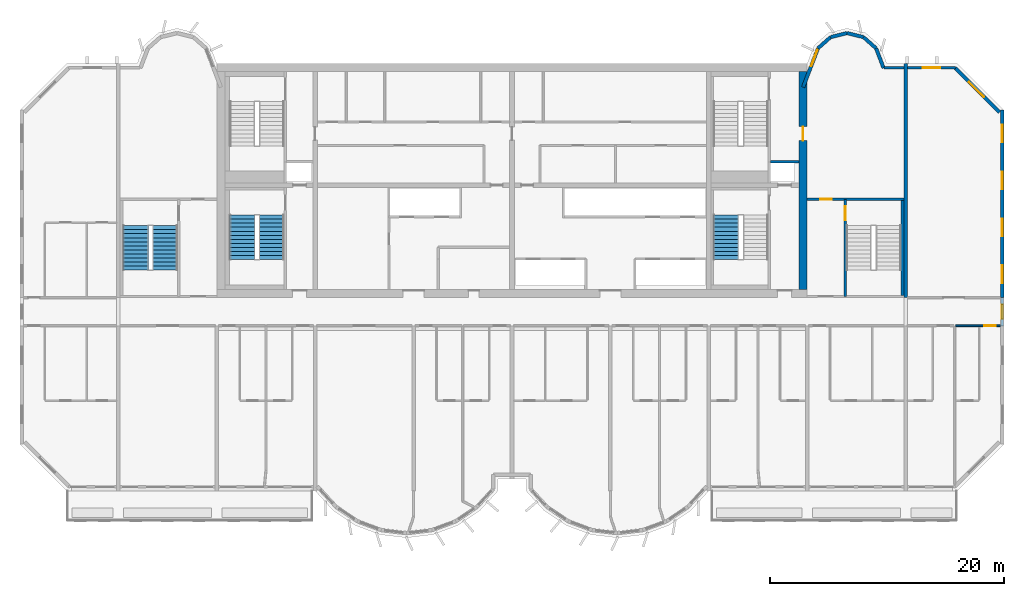
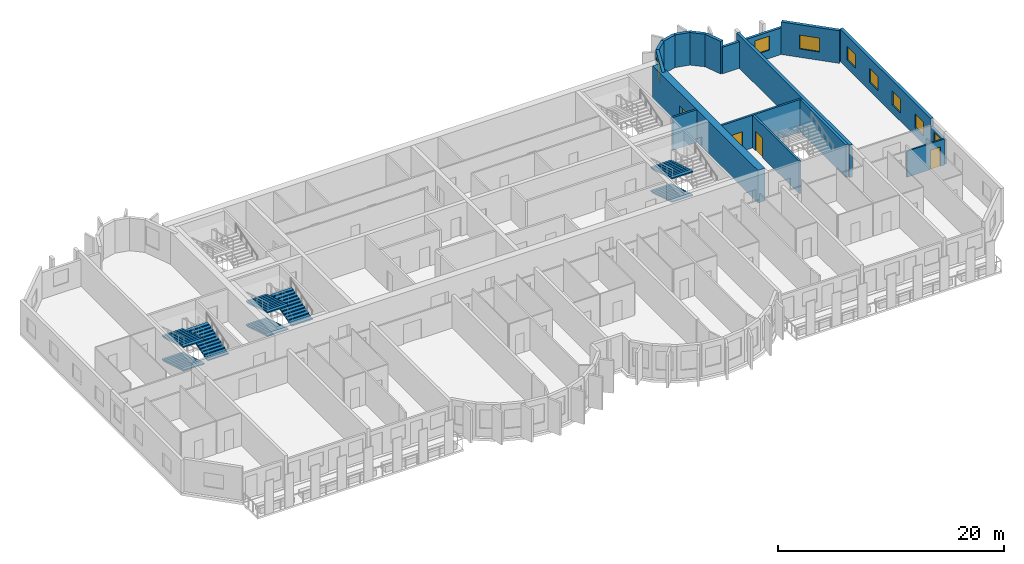
# One storey, part 9 of 13: 18 walls, 8 stair flights, 8 windows, 4 doors, 12 openings, 3 elements without a shape of their own.
"""IFC4 building model written with IfcOpenShell, lengths in metres."""

from ifc_helpers import new_model, si_unit, direction, frame, frame_2d, origin, place, context, subcontext, project, spatial, polyline, rectangle, outline, extrude, source, transform, mapped, material, layer, layer_set, type_object, element, fill, aggregate, save


model = new_model("IFC4")

# Units and contexts
model_context = context("Model", 3, precision=1e-05, world=origin(), true_north=direction((0.0, 1.0)))
body_context = subcontext(model_context, "Body", "Model", "MODEL_VIEW")
ifc_project = project(units=[si_unit("LENGTHUNIT", "METRE"), si_unit("AREAUNIT", "SQUARE_METRE"), si_unit("VOLUMEUNIT", "CUBIC_METRE"), si_unit("PLANEANGLEUNIT", "RADIAN"), si_unit("MASSUNIT", "GRAM", prefix="KILO")], contexts=[model_context])

# Site, building, storey
site_placement = place(None, origin())
site = spatial("IfcSite", under=ifc_project, at=site_placement, CompositionType="ELEMENT")
building_placement = place(site_placement, origin())
building = spatial("IfcBuilding", under=site, at=building_placement, Name="Vanashikhar Sky Hotel", CompositionType="ELEMENT")
storey_placement = place(building_placement, frame((0.0, 0.0, 159.199951171875)))
storey = spatial("IfcBuildingStorey", under=building, at=storey_placement, Name="L38", CompositionType="ELEMENT", Elevation=159.199951171875)

# Wall, opening, door
ifc_material_1 = material(Name="Concrete M60", Category="concrete")
ifc_layer_1 = layer(ifc_material_1, 0.699951171875)
ifc_layer_set_1 = layer_set([ifc_layer_1], Name="RC core shell wall 700 Concrete M60")
wall_type_1 = type_object("IfcWallType", Name="RC core shell wall 700 Concrete M60", PredefinedType="SHEAR", material=ifc_layer_set_1)
shared_shape_1 = source(origin(), body_context, "Body", "SweptSolid", [
    extrude(rectangle(XDim=18.60009765625, YDim=0.699951171875, at=frame_2d((9.300048828125, 0.0))), origin(), (0.0, 0.0, 1.0), 3.52001953125),
])
wall_1_placement = place(storey_placement, frame((75.25, 22.699951171875, 0.0), z_axis=(0.0, 0.0, 1.0), x_axis=(0.0, 1.0, 0.0)))
wall_1 = element("IfcWall", 1, at=wall_1_placement, inside=storey, type_object=wall_type_1, Name="KW-L38-KE", PredefinedType="SHEAR", context=body_context, shape_type="MappedRepresentation", body=[
    mapped(shared_shape_1, transform((0.0, 0.0, 0.0), scale=1.0)),
])
shared_shape_2 = source(origin(), body_context, "Body", "SweptSolid", [
    extrude(rectangle(XDim=1.199951171875, YDim=2.10009765625, at=frame_2d((0.60009765625, 1.050048828125))), frame((0.0, 0.35986328125, 0.0), z_axis=(0.0, -1.0, 0.0), x_axis=(1.0, 0.0, 0.0)), (0.0, 0.0, 1.0), 0.719970703125),
])
opening_1_placement = place(wall_1_placement, frame((12.699951171875, 0.0, 0.0)))
opening_1 = element("IfcOpeningElement", 2, at=opening_1_placement, cuts=wall_1, Name="Opening DC-4-D", PredefinedType="OPENING", context=body_context, shape_type="MappedRepresentation", body=[
    mapped(shared_shape_2, transform((0.0, 0.0, 0.0), scale=1.0)),
])
ifc_material_2 = material(Name="Steel", Category="steel")
door_type_1 = type_object("IfcDoorType", Name="Service door 1200 FD120", OperationType="NOTDEFINED", PredefinedType="DOOR", material=ifc_material_2)
shared_shape_3 = source(origin(), body_context, "Body", "SweptSolid", [
    extrude(rectangle(XDim=1.199951171875, YDim=2.10009765625, at=frame_2d((0.60009765625, 1.050048828125))), frame((0.0, 0.02490234375, 0.0), z_axis=(0.0, -1.0, 0.0), x_axis=(1.0, 0.0, 0.0)), (0.0, 0.0, 1.0), 0.050048828125),
])
door_1_placement = place(opening_1_placement, origin())
door_1 = element("IfcDoor", 3, at=door_1_placement, inside=storey, type_object=door_type_1, Name="Service door 1200 FD120", OperationType="SINGLE_SWING_RIGHT", OverallHeight=2.10009765625, OverallWidth=1.199951171875, PredefinedType="DOOR", context=body_context, shape_type="MappedRepresentation", body=[
    mapped(shared_shape_3, transform((0.0, 0.0, 0.0), scale=1.0)),
])
fill(opening_1, door_1)

# Wall, openings, windows
ifc_layer_2 = layer(ifc_material_1, 0.300048828125)
ifc_layer_set_2 = layer_set([ifc_layer_2], Name="RC shear wall 300 Concrete M60")
wall_type_2 = type_object("IfcWallType", Name="RC shear wall 300 Concrete M60", PredefinedType="SHEAR", material=ifc_layer_set_2)
shared_shape_4 = source(origin(), body_context, "Body", "SweptSolid", [
    extrude(rectangle(XDim=16.0, YDim=0.300048828125, at=frame_2d((8.0, 0.0))), origin(), (0.0, 0.0, 1.0), 3.52001953125),
])
wall_2_placement = place(storey_placement, frame((92.25, 22.0, 0.0), z_axis=(0.0, 0.0, 1.0), x_axis=(0.0, 1.0, 0.0)))
wall_2 = element("IfcWall", 4, at=wall_2_placement, inside=storey, type_object=wall_type_2, Name="CW-L38-XW12-2", PredefinedType="SHEAR", context=body_context, shape_type="MappedRepresentation", body=[
    mapped(shared_shape_4, transform((0.0, 0.0, 0.0), scale=1.0)),
])
shared_shape_5 = source(origin(), body_context, "Body", "SweptSolid", [
    extrude(rectangle(XDim=1.5, YDim=1.5, at=frame_2d((0.75, 0.75))), frame((0.0, 0.16015625, 0.0), z_axis=(0.0, -1.0, 0.0), x_axis=(1.0, 0.0, 0.0)), (0.0, 0.0, 1.0), 0.320068359375),
])
opening_2_placement = place(wall_2_placement, frame((1.25, 0.0, 0.89990234375)))
opening_2 = element("IfcOpeningElement", 5, at=opening_2_placement, cuts=wall_2, Name="Opening WN-1", PredefinedType="OPENING", context=body_context, shape_type="MappedRepresentation", body=[
    mapped(shared_shape_5, transform((0.0, 0.0, 0.0), scale=1.0)),
])
opening_3_placement = place(wall_2_placement, frame((5.25, 0.0, 0.89990234375)))
opening_3 = element("IfcOpeningElement", 6, at=opening_3_placement, cuts=wall_2, Name="Opening WN-1", PredefinedType="OPENING", context=body_context, shape_type="MappedRepresentation", body=[
    mapped(shared_shape_5, transform((0.0, 0.0, 0.0), scale=1.0)),
])
opening_4_placement = place(wall_2_placement, frame((9.25, 0.0, 0.89990234375)))
opening_4 = element("IfcOpeningElement", 7, at=opening_4_placement, cuts=wall_2, Name="Opening WN-1", PredefinedType="OPENING", context=body_context, shape_type="MappedRepresentation", body=[
    mapped(shared_shape_5, transform((0.0, 0.0, 0.0), scale=1.0)),
])
opening_5_placement = place(wall_2_placement, frame((13.25, 0.0, 0.89990234375)))
opening_5 = element("IfcOpeningElement", 8, at=opening_5_placement, cuts=wall_2, Name="Opening WN-1", PredefinedType="OPENING", context=body_context, shape_type="MappedRepresentation", body=[
    mapped(shared_shape_5, transform((0.0, 0.0, 0.0), scale=1.0)),
])
ifc_material_3 = material(Name="Glass", Category="glass")
window_type_1 = type_object("IfcWindowType", Name="Window 1500 x 1500", PartitioningType="SINGLE_PANEL", PredefinedType="WINDOW", material=ifc_material_3)
shared_shape_6 = source(origin(), body_context, "Body", "SweptSolid", [
    extrude(rectangle(XDim=1.5, YDim=1.5, at=frame_2d((0.75, 0.75))), frame((0.0, 0.030029296875, 0.0), z_axis=(0.0, -1.0, 0.0), x_axis=(1.0, 0.0, 0.0)), (0.0, 0.0, 1.0), 0.06005859375),
])
window_1_placement = place(opening_2_placement, origin())
window_1 = element("IfcWindow", 9, at=window_1_placement, inside=storey, type_object=window_type_1, Name="Window WN-1", OverallHeight=1.5, OverallWidth=1.5, PartitioningType="SINGLE_PANEL", PredefinedType="WINDOW", context=body_context, shape_type="MappedRepresentation", body=[
    mapped(shared_shape_6, transform((0.0, 0.0, 0.0), scale=1.0)),
])
fill(opening_2, window_1)
window_2_placement = place(opening_3_placement, origin())
window_2 = element("IfcWindow", 10, at=window_2_placement, inside=storey, type_object=window_type_1, Name="Window WN-1", OverallHeight=1.5, OverallWidth=1.5, PartitioningType="SINGLE_PANEL", PredefinedType="WINDOW", context=body_context, shape_type="MappedRepresentation", body=[
    mapped(shared_shape_6, transform((0.0, 0.0, 0.0), scale=1.0)),
])
fill(opening_3, window_2)
window_3_placement = place(opening_4_placement, origin())
window_3 = element("IfcWindow", 11, at=window_3_placement, inside=storey, type_object=window_type_1, Name="Window WN-1", OverallHeight=1.5, OverallWidth=1.5, PartitioningType="SINGLE_PANEL", PredefinedType="WINDOW", context=body_context, shape_type="MappedRepresentation", body=[
    mapped(shared_shape_6, transform((0.0, 0.0, 0.0), scale=1.0)),
])
fill(opening_4, window_3)
window_4_placement = place(opening_5_placement, origin())
window_4 = element("IfcWindow", 12, at=window_4_placement, inside=storey, type_object=window_type_1, Name="Window WN-1", OverallHeight=1.5, OverallWidth=1.5, PartitioningType="SINGLE_PANEL", PredefinedType="WINDOW", context=body_context, shape_type="MappedRepresentation", body=[
    mapped(shared_shape_6, transform((0.0, 0.0, 0.0), scale=1.0)),
])
fill(opening_5, window_4)

# Wall
shared_shape_7 = source(origin(), body_context, "Body", "SweptSolid", [
    extrude(rectangle(XDim=20.0, YDim=0.300048828125, at=frame_2d((10.0, 0.0))), origin(), (0.0, 0.0, 1.0), 3.52001953125),
])
wall_3_placement = place(storey_placement, frame((84.0, 22.0, 0.0), z_axis=(0.0, 0.0, 1.0), x_axis=(0.0, 1.0, 0.0)))
element("IfcWall", 13, at=wall_3_placement, inside=storey, type_object=wall_type_2, Name="CW-L38-XW11-2", PredefinedType="SHEAR", context=body_context, shape_type="MappedRepresentation", body=[
    mapped(shared_shape_7, transform((0.0, 0.0, 0.0), scale=1.0)),
])

# Wall, opening, window
ifc_material_4 = material(Name="Concrete M50", Category="concrete")
ifc_layer_3 = layer(ifc_material_4, 0.300048828125)
ifc_layer_set_3 = layer_set([ifc_layer_3], Name="Lobe wall 300")
wall_type_3 = type_object("IfcWallType", Name="Lobe wall 300", PredefinedType="SOLIDWALL", material=ifc_layer_set_3)
shared_shape_8 = source(origin(), body_context, "Body", "SweptSolid", [
    extrude(rectangle(XDim=5.32568359375, YDim=0.300048828125, at=frame_2d((2.662841796875, 0.0))), origin(), (0.0, 0.0, 1.0), 3.52001953125),
])
wall_4_placement = place(storey_placement, frame((92.0, 37.834228515625, 0.0), z_axis=(0.0, 0.0, 1.0), x_axis=(-0.707083859269, 0.707129702361, 0.0)))
wall_4 = element("IfcWall", 14, at=wall_4_placement, inside=storey, type_object=wall_type_3, Name="Corner wall", PredefinedType="SOLIDWALL", context=body_context, shape_type="MappedRepresentation", body=[
    mapped(shared_shape_8, transform((0.0, 0.0, 0.0), scale=1.0)),
])
shared_shape_9 = source(origin(), body_context, "Body", "SweptSolid", [
    extrude(rectangle(XDim=1.800048828125, YDim=1.5, at=frame_2d((0.89990234375, 0.75))), frame((0.0, 0.16015625, 0.0), z_axis=(0.0, -1.0, 0.0), x_axis=(1.0, 0.0, 0.0)), (0.0, 0.0, 1.0), 0.320068359375),
])
opening_6_placement = place(wall_4_placement, frame((1.8359375, 0.0, 0.89990234375)))
opening_6 = element("IfcOpeningElement", 15, at=opening_6_placement, cuts=wall_4, Name="Opening WN-4", PredefinedType="OPENING", context=body_context, shape_type="MappedRepresentation", body=[
    mapped(shared_shape_9, transform((0.0, 0.0, 0.0), scale=1.0)),
])
window_type_2 = type_object("IfcWindowType", Name="Corner window 1800 x 1500", PartitioningType="SINGLE_PANEL", PredefinedType="WINDOW", material=ifc_material_3)
shared_shape_10 = source(origin(), body_context, "Body", "SweptSolid", [
    extrude(rectangle(XDim=1.800048828125, YDim=1.5, at=frame_2d((0.89990234375, 0.75))), frame((0.0, 0.030029296875, 0.0), z_axis=(0.0, -1.0, 0.0), x_axis=(1.0, 0.0, 0.0)), (0.0, 0.0, 1.0), 0.06005859375),
])
window_5_placement = place(opening_6_placement, origin())
window_5 = element("IfcWindow", 16, at=window_5_placement, inside=storey, type_object=window_type_2, Name="Window WN-4", OverallHeight=1.5, OverallWidth=1.800048828125, PartitioningType="SINGLE_PANEL", PredefinedType="WINDOW", context=body_context, shape_type="MappedRepresentation", body=[
    mapped(shared_shape_10, transform((0.0, 0.0, 0.0), scale=1.0)),
])
fill(opening_6, window_5)

shared_shape_11 = source(origin(), body_context, "Body", "SweptSolid", [
    extrude(rectangle(XDim=3.55908203125, YDim=0.300048828125, at=frame_2d((1.779541015625, 0.0))), origin(), (0.0, 0.0, 1.0), 3.52001953125),
])
wall_5_placement = place(storey_placement, frame((76.5234375, 43.2919921875, 0.0), z_axis=(0.0, 0.0, 1.0), x_axis=(-0.35779745313, -0.933799219604, 0.0)))
wall_5 = element("IfcWall", 17, at=wall_5_placement, inside=storey, type_object=wall_type_3, Name="Lobe wall", PredefinedType="SOLIDWALL", context=body_context, shape_type="MappedRepresentation", body=[
    mapped(shared_shape_11, transform((0.0, 0.0, 0.0), scale=1.0)),
])
shared_shape_12 = source(origin(), body_context, "Body", "SweptSolid", [
    extrude(rectangle(XDim=1.5, YDim=2.0, at=frame_2d((0.75, 1.0))), frame((0.0, 0.16015625, 0.0), z_axis=(0.0, -1.0, 0.0), x_axis=(1.0, 0.0, 0.0)), (0.0, 0.0, 1.0), 0.320068359375),
])
opening_7_placement = place(wall_5_placement, frame((0.156005859375, 0.0, 0.89990234375)))
opening_7 = element("IfcOpeningElement", 18, at=opening_7_placement, cuts=wall_5, Name="Opening WN-2", PredefinedType="OPENING", context=body_context, shape_type="MappedRepresentation", body=[
    mapped(shared_shape_12, transform((0.0, 0.0, 0.0), scale=1.0)),
])
window_type_3 = type_object("IfcWindowType", Name="Lobe window 1500 x 2000", PartitioningType="SINGLE_PANEL", PredefinedType="WINDOW", material=ifc_material_3)
shared_shape_13 = source(origin(), body_context, "Body", "SweptSolid", [
    extrude(rectangle(XDim=1.5, YDim=2.0, at=frame_2d((0.75, 1.0))), frame((0.0, 0.030029296875, 0.0), z_axis=(0.0, -1.0, 0.0), x_axis=(1.0, 0.0, 0.0)), (0.0, 0.0, 1.0), 0.06005859375),
])
window_6_placement = place(opening_7_placement, origin())
window_6 = element("IfcWindow", 19, at=window_6_placement, inside=storey, type_object=window_type_3, Name="Window WN-2", OverallHeight=2.0, OverallWidth=1.5, PartitioningType="SINGLE_PANEL", PredefinedType="WINDOW", context=body_context, shape_type="MappedRepresentation", body=[
    mapped(shared_shape_13, transform((0.0, 0.0, 0.0), scale=1.0)),
])
fill(opening_7, window_6)

# Walls
shared_shape_14 = source(origin(), body_context, "Body", "SweptSolid", [
    extrude(rectangle(XDim=1.438720703125, YDim=0.300048828125, at=frame_2d((0.71923828125, 0.0))), origin(), (0.0, 0.0, 1.0), 3.52001953125),
])
for number, where, z_axis, x_axis, name in (
    (20, (80.397216796875, 44.2451171875, 0.0), (0.0, 0.0, 1.0), (-0.971161932466, 0.238420848351, 0.0), "Lobe wall"),
    (21, (79.0, 44.588134765625, 0.0), (0.0, 0.0, 1.0), (-0.971161932466, -0.238420848351, 0.0), "Lobe wall"),
):
    element("IfcWall", number, at=place(storey_placement, frame(where, z_axis=z_axis, x_axis=x_axis)), inside=storey, type_object=wall_type_3, Name=name, PredefinedType="SOLIDWALL", context=body_context, shape_type="MappedRepresentation", body=[
        mapped(shared_shape_14, transform((0.0, 0.0, 0.0), scale=1.0)),
    ])
shared_shape_15 = source(origin(), body_context, "Body", "SweptSolid", [
    extrude(rectangle(XDim=1.43994140625, YDim=0.300048828125, at=frame_2d((0.719970703125, 0.0))), origin(), (0.0, 0.0, 1.0), 3.52001953125),
])
for number, where, z_axis, x_axis, name in (
    (22, (81.4765625, 43.2919921875, 0.0), (0.0, 0.0, 1.0), (-0.74957555648, 0.661918790432, 0.0), "Lobe wall"),
    (23, (77.602783203125, 44.2451171875, 0.0), (0.0, 0.0, 1.0), (-0.74957555648, -0.661918790432, 0.0), "Lobe wall"),
):
    element("IfcWall", number, at=place(storey_placement, frame(where, z_axis=z_axis, x_axis=x_axis)), inside=storey, type_object=wall_type_3, Name=name, PredefinedType="SOLIDWALL", context=body_context, shape_type="MappedRepresentation", body=[
        mapped(shared_shape_15, transform((0.0, 0.0, 0.0), scale=1.0)),
    ])
shared_shape_16 = source(origin(), body_context, "Body", "SweptSolid", [
    extrude(rectangle(XDim=1.81201171875, YDim=0.300048828125, at=frame_2d((0.906005859375, 0.0))), origin(), (0.0, 0.0, 1.0), 3.52001953125),
])
wall_6_placement = place(storey_placement, frame((82.125, 41.60009765625, 0.0), z_axis=(0.0, 0.0, 1.0), x_axis=(-0.357877270961, 0.93376863244, 0.0)))
element("IfcWall", 24, at=wall_6_placement, inside=storey, type_object=wall_type_3, Name="Lobe wall", PredefinedType="SOLIDWALL", context=body_context, shape_type="MappedRepresentation", body=[
    mapped(shared_shape_16, transform((0.0, 0.0, 0.0), scale=1.0)),
])

# Wall, opening, window
ifc_layer_4 = layer(ifc_material_4, 0.25)
ifc_layer_set_4 = layer_set([ifc_layer_4], Name="Rear and end board-marked wall 250")
wall_type_4 = type_object("IfcWallType", Name="Rear and end board-marked wall 250", PredefinedType="SOLIDWALL", material=ifc_layer_set_4)
shared_shape_17 = source(origin(), body_context, "Body", "SweptSolid", [
    extrude(rectangle(XDim=2.39990234375, YDim=0.25, at=frame_2d((1.199951171875, 0.0))), origin(), (0.0, 0.0, 1.0), 2.6201171875),
])
wall_7_placement = place(storey_placement, frame((92.25, 19.60009765625, 0.0), z_axis=(0.0, 0.0, 1.0), x_axis=(0.0, 1.0, 0.0)))
wall_7 = element("IfcWall", 25, at=wall_7_placement, inside=storey, type_object=wall_type_4, Name="End corridor infill wall", PredefinedType="SOLIDWALL", context=body_context, shape_type="MappedRepresentation", body=[
    mapped(shared_shape_17, transform((0.0, 0.0, 0.0), scale=1.0)),
])
shared_shape_18 = source(origin(), body_context, "Body", "SweptSolid", [
    extrude(rectangle(XDim=1.199951171875, YDim=1.5, at=frame_2d((0.60009765625, 0.75))), frame((0.0, 0.135009765625, 0.0), z_axis=(0.0, -1.0, 0.0), x_axis=(1.0, 0.0, 0.0)), (0.0, 0.0, 1.0), 0.27001953125),
])
opening_8_placement = place(wall_7_placement, frame((0.60009765625, 0.0, 0.89990234375)))
opening_8 = element("IfcOpeningElement", 26, at=opening_8_placement, cuts=wall_7, Name="Opening WN-3", PredefinedType="OPENING", context=body_context, shape_type="MappedRepresentation", body=[
    mapped(shared_shape_18, transform((0.0, 0.0, 0.0), scale=1.0)),
])
window_type_4 = type_object("IfcWindowType", Name="Corridor end window 1200 x 1500", PartitioningType="SINGLE_PANEL", PredefinedType="WINDOW", material=ifc_material_3)
shared_shape_19 = source(origin(), body_context, "Body", "SweptSolid", [
    extrude(rectangle(XDim=1.199951171875, YDim=1.5, at=frame_2d((0.60009765625, 0.75))), frame((0.0, 0.030029296875, 0.0), z_axis=(0.0, -1.0, 0.0), x_axis=(1.0, 0.0, 0.0)), (0.0, 0.0, 1.0), 0.06005859375),
])
window_7_placement = place(opening_8_placement, origin())
window_7 = element("IfcWindow", 27, at=window_7_placement, inside=storey, type_object=window_type_4, Name="Window WN-3", OverallHeight=1.5, OverallWidth=1.199951171875, PartitioningType="SINGLE_PANEL", PredefinedType="WINDOW", context=body_context, shape_type="MappedRepresentation", body=[
    mapped(shared_shape_19, transform((0.0, 0.0, 0.0), scale=1.0)),
])
fill(opening_8, window_7)

# Wall
shared_shape_20 = source(origin(), body_context, "Body", "SweptSolid", [
    extrude(rectangle(XDim=1.7080078125, YDim=0.25, at=frame_2d((0.85400390625, 0.0))), origin(), (0.0, 0.0, 1.0), 2.8701171875),
])
wall_8_placement = place(storey_placement, frame((83.85009765625, 41.625, 0.0), z_axis=(0.0, 0.0, 1.0), x_axis=(-1.0, 0.0, 0.0)))
element("IfcWall", 28, at=wall_8_placement, inside=storey, type_object=wall_type_4, Name="Rear board-marked wall", PredefinedType="SOLIDWALL", context=body_context, shape_type="MappedRepresentation", body=[
    mapped(shared_shape_20, transform((0.0, 0.0, 0.0), scale=1.0)),
])

# Wall, opening, window
shared_shape_21 = source(origin(), body_context, "Body", "SweptSolid", [
    extrude(rectangle(XDim=4.0947265625, YDim=0.25, at=frame_2d((2.04736328125, 0.0))), origin(), (0.0, 0.0, 1.0), 2.8701171875),
])
wall_9_placement = place(storey_placement, frame((88.24462890625, 41.625, 0.0), z_axis=(0.0, 0.0, 1.0), x_axis=(-1.0, 0.0, 0.0)))
wall_9 = element("IfcWall", 29, at=wall_9_placement, inside=storey, type_object=wall_type_4, Name="Rear board-marked wall", PredefinedType="SOLIDWALL", context=body_context, shape_type="MappedRepresentation", body=[
    mapped(shared_shape_21, transform((0.0, 0.0, 0.0), scale=1.0)),
])
shared_shape_22 = source(origin(), body_context, "Body", "SweptSolid", [
    extrude(rectangle(XDim=1.5, YDim=1.5, at=frame_2d((0.75, 0.75))), frame((0.0, 0.135009765625, 0.0), z_axis=(0.0, -1.0, 0.0), x_axis=(1.0, 0.0, 0.0)), (0.0, 0.0, 1.0), 0.27001953125),
])
opening_9_placement = place(wall_9_placement, frame((1.29736328125, 0.0, 0.89990234375)))
opening_9 = element("IfcOpeningElement", 30, at=opening_9_placement, cuts=wall_9, Name="Opening WN-1", PredefinedType="OPENING", context=body_context, shape_type="MappedRepresentation", body=[
    mapped(shared_shape_22, transform((0.0, 0.0, 0.0), scale=1.0)),
])
window_8_placement = place(opening_9_placement, origin())
window_8 = element("IfcWindow", 31, at=window_8_placement, inside=storey, type_object=window_type_1, Name="Window WN-1", OverallHeight=1.5, OverallWidth=1.5, PartitioningType="SINGLE_PANEL", PredefinedType="WINDOW", context=body_context, shape_type="MappedRepresentation", body=[
    mapped(shared_shape_6, transform((0.0, 0.0, 0.0), scale=1.0)),
])
fill(opening_9, window_8)

# Wall, opening, door
ifc_layer_5 = layer(ifc_material_4, 0.199951171875)
ifc_layer_set_5 = layer_set([ifc_layer_5], Name="Stair wall 200")
wall_type_5 = type_object("IfcWallType", Name="Stair wall 200", PredefinedType="SOLIDWALL", material=ifc_layer_set_5)
shared_shape_23 = source(origin(), body_context, "Body", "SweptSolid", [
    extrude(rectangle(XDim=8.2998046875, YDim=0.199951171875, at=frame_2d((4.14990234375, 0.0))), origin(), (0.0, 0.0, 1.0), 3.52001953125),
])
wall_10_placement = place(storey_placement, frame((78.85009765625, 22.10009765625, 0.0), z_axis=(0.0, 0.0, 1.0), x_axis=(0.0, 1.0, 0.0)))
wall_10 = element("IfcWall", 32, at=wall_10_placement, inside=storey, type_object=wall_type_5, Name="Stair wall 200", PredefinedType="SOLIDWALL", context=body_context, shape_type="MappedRepresentation", body=[
    mapped(shared_shape_23, transform((0.0, 0.0, 0.0), scale=1.0)),
])
shared_shape_24 = source(origin(), body_context, "Body", "SweptSolid", [
    extrude(rectangle(XDim=1.199951171875, YDim=2.10009765625, at=frame_2d((0.60009765625, 1.050048828125))), frame((0.0, 0.10986328125, 0.0), z_axis=(0.0, -1.0, 0.0), x_axis=(1.0, 0.0, 0.0)), (0.0, 0.0, 1.0), 0.219970703125),
])
opening_10_placement = place(wall_10_placement, frame((6.5, 0.0, 0.0)))
opening_10 = element("IfcOpeningElement", 33, at=opening_10_placement, cuts=wall_10, Name="Opening DC-1", PredefinedType="OPENING", context=body_context, shape_type="MappedRepresentation", body=[
    mapped(shared_shape_24, transform((0.0, 0.0, 0.0), scale=1.0)),
])
door_type_2 = type_object("IfcDoorType", Name="Stair door 1200 FD120", OperationType="NOTDEFINED", PredefinedType="DOOR", material=ifc_material_2)
door_2_placement = place(opening_10_placement, origin())
door_2 = element("IfcDoor", 34, at=door_2_placement, inside=storey, type_object=door_type_2, Name="Stair door 1200 FD120", OperationType="SINGLE_SWING_RIGHT", OverallHeight=2.10009765625, OverallWidth=1.199951171875, PredefinedType="DOOR", context=body_context, shape_type="MappedRepresentation", body=[
    mapped(shared_shape_3, transform((0.0, 0.0, 0.0), scale=1.0)),
])
fill(opening_10, door_2)

# Wall
ifc_material_5 = material(Name="Concrete M40", Category="concrete")
ifc_layer_6 = layer(ifc_material_5, 0.199951171875)
ifc_layer_set_6 = layer_set([ifc_layer_6], Name="Shaft wall 200")
wall_type_6 = type_object("IfcWallType", Name="Shaft wall 200", PredefinedType="SOLIDWALL", material=ifc_layer_set_6)
shared_shape_25 = source(origin(), body_context, "Body", "SweptSolid", [
    extrude(rectangle(XDim=2.449951171875, YDim=0.199951171875, at=frame_2d((1.22509765625, 0.0))), origin(), (0.0, 0.0, 1.0), 3.52001953125),
])
wall_11_placement = place(storey_placement, frame((72.449951171875, 33.60009765625, 0.0), z_axis=(0.0, 0.0, 1.0), x_axis=(1.0, 0.0, 0.0)))
element("IfcWall", 35, at=wall_11_placement, inside=storey, type_object=wall_type_6, Name="Shaft wall 200", PredefinedType="SOLIDWALL", context=body_context, shape_type="MappedRepresentation", body=[
    mapped(shared_shape_25, transform((0.0, 0.0, 0.0), scale=1.0)),
])

# Wall, opening, door
shared_shape_26 = source(origin(), body_context, "Body", "SweptSolid", [
    extrude(rectangle(XDim=8.25, YDim=0.199951171875, at=frame_2d((4.125, 0.0))), origin(), (0.0, 0.0, 1.0), 3.52001953125),
])
wall_12_placement = place(storey_placement, frame((83.85009765625, 30.39990234375, 0.0), z_axis=(0.0, 0.0, 1.0), x_axis=(-1.0, 0.0, 0.0)))
wall_12 = element("IfcWall", 36, at=wall_12_placement, inside=storey, type_object=wall_type_5, Name="Stair wall 200", PredefinedType="SOLIDWALL", context=body_context, shape_type="MappedRepresentation", body=[
    mapped(shared_shape_26, transform((0.0, 0.0, 0.0), scale=1.0)),
])
shared_shape_27 = source(origin(), body_context, "Body", "SweptSolid", [
    extrude(rectangle(XDim=1.0, YDim=2.10009765625, at=frame_2d((0.5, 1.050048828125))), frame((0.0, 0.10986328125, 0.0), z_axis=(0.0, -1.0, 0.0), x_axis=(1.0, 0.0, 0.0)), (0.0, 0.0, 1.0), 0.219970703125),
])
opening_11_placement = place(wall_12_placement, frame((6.14990234375, 0.0, 0.0)))
opening_11 = element("IfcOpeningElement", 37, at=opening_11_placement, cuts=wall_12, Name="Opening DC-6", PredefinedType="OPENING", context=body_context, shape_type="MappedRepresentation", body=[
    mapped(shared_shape_27, transform((0.0, 0.0, 0.0), scale=1.0)),
])
door_type_3 = type_object("IfcDoorType", Name="Pocket door 1000 FD60", OperationType="NOTDEFINED", PredefinedType="DOOR", material=ifc_material_2)
shared_shape_28 = source(origin(), body_context, "Body", "SweptSolid", [
    extrude(rectangle(XDim=1.0, YDim=2.10009765625, at=frame_2d((0.5, 1.050048828125))), frame((0.0, 0.02490234375, 0.0), z_axis=(0.0, -1.0, 0.0), x_axis=(1.0, 0.0, 0.0)), (0.0, 0.0, 1.0), 0.050048828125),
])
door_3_placement = place(opening_11_placement, origin())
door_3 = element("IfcDoor", 38, at=door_3_placement, inside=storey, type_object=door_type_3, Name="Pocket door 1000 FD60", OperationType="SINGLE_SWING_RIGHT", OverallHeight=2.10009765625, OverallWidth=1.0, PredefinedType="DOOR", context=body_context, shape_type="MappedRepresentation", body=[
    mapped(shared_shape_28, transform((0.0, 0.0, 0.0), scale=1.0)),
])
fill(opening_11, door_3)

# Wall
ifc_layer_7 = layer(ifc_material_4, 0.25)
ifc_layer_set_7 = layer_set([ifc_layer_7], Name="Stair infill wall 250")
wall_type_7 = type_object("IfcWallType", Name="Stair infill wall 250", PredefinedType="SOLIDWALL", material=ifc_layer_set_7)
shared_shape_29 = source(origin(), body_context, "Body", "SweptSolid", [
    extrude(rectangle(XDim=8.10009765625, YDim=0.25, at=frame_2d((4.050048828125, 0.0))), origin(), (0.0, 0.0, 1.0), 3.52001953125),
])
wall_13_placement = place(storey_placement, frame((83.72509765625, 22.199951171875, 0.0), z_axis=(0.0, 0.0, 1.0), x_axis=(0.0, 1.0, 0.0)))
element("IfcWall", 39, at=wall_13_placement, inside=storey, type_object=wall_type_7, Name="Stair infill wall 250", PredefinedType="SOLIDWALL", context=body_context, shape_type="MappedRepresentation", body=[
    mapped(shared_shape_29, transform((0.0, 0.0, 0.0), scale=1.0)),
])

# Wall, opening, door
ifc_material_6 = material(Name="Gypsum plasterboard partition")
ifc_layer_8 = layer(ifc_material_6, 0.14990234375)
ifc_layer_set_8 = layer_set([ifc_layer_8], Name="Corridor and demising partition 150")
wall_type_8 = type_object("IfcWallType", Name="Corridor and demising partition 150", PredefinedType="PARTITIONING", material=ifc_layer_set_8)
shared_shape_30 = source(origin(), body_context, "Body", "SweptSolid", [
    extrude(rectangle(XDim=3.8251953125, YDim=0.14990234375, at=frame_2d((1.91259765625, 0.0))), origin(), (0.0, 0.0, 1.0), 2.820068359375),
])
wall_14_placement = place(storey_placement, frame((88.27490234375, 19.60009765625, 0.0), z_axis=(0.0, 0.0, 1.0), x_axis=(1.0, 0.0, 0.0)))
wall_14 = element("IfcWall", 40, at=wall_14_placement, inside=storey, type_object=wall_type_8, Name="W-L38-PW051", PredefinedType="PARTITIONING", context=body_context, shape_type="MappedRepresentation", body=[
    mapped(shared_shape_30, transform((0.0, 0.0, 0.0), scale=1.0)),
])
shared_shape_31 = source(origin(), body_context, "Body", "SweptSolid", [
    extrude(rectangle(XDim=1.0, YDim=2.10009765625, at=frame_2d((0.5, 1.050048828125))), frame((0.0, 0.0849609375, 0.0), z_axis=(0.0, -1.0, 0.0), x_axis=(1.0, 0.0, 0.0)), (0.0, 0.0, 1.0), 0.169921875),
])
opening_12_placement = place(wall_14_placement, frame((2.425048828125, 0.0, 0.0)))
opening_12 = element("IfcOpeningElement", 41, at=opening_12_placement, cuts=wall_14, Name="Opening D-01", PredefinedType="OPENING", context=body_context, shape_type="MappedRepresentation", body=[
    mapped(shared_shape_31, transform((0.0, 0.0, 0.0), scale=1.0)),
])
ifc_material_7 = material(Name="Timber fire door", Category="wood")
door_type_4 = type_object("IfcDoorType", Name="Guest entry door 1000 FD30S", OperationType="NOTDEFINED", PredefinedType="DOOR", material=ifc_material_7)
door_4_placement = place(opening_12_placement, origin())
door_4 = element("IfcDoor", 42, at=door_4_placement, inside=storey, type_object=door_type_4, Name="D-L38-031", OperationType="SINGLE_SWING_RIGHT", OverallHeight=2.10009765625, OverallWidth=1.0, PredefinedType="DOOR", context=body_context, shape_type="MappedRepresentation", body=[
    mapped(shared_shape_28, transform((0.0, 0.0, 0.0), scale=1.0)),
])
fill(opening_12, door_4)

# Stair, stair flights
stair_type = type_object("IfcStairType", Name="Exit stair 2150", PredefinedType="DOUBLE_RETURN_STAIR", material=ifc_material_5)
stair_1_placement = place(storey_placement, origin())
stair_1 = element("IfcStair", 43, at=stair_1_placement, inside=storey, type_object=stair_type, Name="L38 Exit stair 1", PredefinedType="DOUBLE_RETURN_STAIR")
stair_flight_type = type_object("IfcStairFlightType", Name="Stair flight 2150", PredefinedType="STRAIGHT", material=ifc_material_5)
shared_shape_32 = source(origin(), body_context, "Body", "SweptSolid", [
    extrude(outline(polyline([(0.0, 0.0), (0.0, 0.10546875), (0.345458984375, 0.10546875), (0.345458984375, 0.211181640625), (0.69091796875, 0.211181640625), (0.69091796875, 0.316650390625), (1.036376953125, 0.316650390625), (1.036376953125, 0.422119140625), (1.3818359375, 0.422119140625), (1.3818359375, 0.52783203125), (1.727294921875, 0.52783203125), (1.727294921875, 0.63330078125), (2.07275390625, 0.63330078125), (2.07275390625, 0.73876953125), (2.418212890625, 0.73876953125), (2.418212890625, 0.844482421875), (2.763671875, 0.844482421875), (2.763671875, 0.949951171875), (3.109130859375, 0.949951171875), (3.109130859375, 1.0556640625), (3.45458984375, 1.0556640625), (3.45458984375, 1.1611328125), (3.800048828125, 1.1611328125), (3.800048828125, 1.2666015625), (3.800048828125, 1.035400390625), (0.4111328125, 0.0), (0.0, 0.0)])), frame((0.0, 1.074951171875, 0.0), z_axis=(0.0, -1.0, 0.0), x_axis=(1.0, 0.0, 0.0)), (0.0, 0.0, 1.0), 2.14990234375),
])
stair_flight_1_placement = place(storey_placement, frame((27.375, 29.050048828125, 0.0), z_axis=(0.0, 0.0, 1.0), x_axis=(0.0, -1.0, 0.0)))
stair_flight_1 = element("IfcStairFlight", 44, at=stair_flight_1_placement, type_object=stair_flight_type, Name="ST-C1 flight 1", NumberOfRisers=12, NumberOfTreads=11, PredefinedType="STRAIGHT", RiserHeight=0.105555556, TreadLength=0.345454545, context=body_context, shape_type="MappedRepresentation", body=[
    mapped(shared_shape_32, transform((0.0, 0.0, 0.0), scale=1.0)),
])
stair_flight_2_placement = place(storey_placement, frame((29.875, 25.25, 1.2666015625), z_axis=(0.0, 0.0, 1.0), x_axis=(0.0, 1.0, 0.0)))
stair_flight_2 = element("IfcStairFlight", 45, at=stair_flight_2_placement, type_object=stair_flight_type, Name="ST-C1 flight 2", NumberOfRisers=12, NumberOfTreads=11, PredefinedType="STRAIGHT", RiserHeight=0.105555556, TreadLength=0.345454545, context=body_context, shape_type="MappedRepresentation", body=[
    mapped(shared_shape_32, transform((0.0, 0.0, 0.0), scale=1.0)),
])
stair_flight_3_placement = place(storey_placement, frame((27.375, 29.050048828125, 2.533447265625), z_axis=(0.0, 0.0, 1.0), x_axis=(0.0, -1.0, 0.0)))
stair_flight_3 = element("IfcStairFlight", 46, at=stair_flight_3_placement, type_object=stair_flight_type, Name="ST-C1 flight 3", NumberOfRisers=12, NumberOfTreads=11, PredefinedType="STRAIGHT", RiserHeight=0.105555556, TreadLength=0.345454545, context=body_context, shape_type="MappedRepresentation", body=[
    mapped(shared_shape_32, transform((0.0, 0.0, 0.0), scale=1.0)),
])
aggregate(stair_1, [stair_flight_1, stair_flight_2, stair_flight_3])

stair_2_placement = place(storey_placement, origin())
stair_2 = element("IfcStair", 47, at=stair_2_placement, inside=storey, type_object=stair_type, Name="L38 Exit stair 2", PredefinedType="DOUBLE_RETURN_STAIR")
stair_flight_4_placement = place(storey_placement, frame((68.675048828125, 29.050048828125, 0.0), z_axis=(0.0, 0.0, 1.0), x_axis=(0.0, -1.0, 0.0)))
stair_flight_4 = element("IfcStairFlight", 48, at=stair_flight_4_placement, type_object=stair_flight_type, Name="ST-C2 flight 1", NumberOfRisers=12, NumberOfTreads=11, PredefinedType="STRAIGHT", RiserHeight=0.105555556, TreadLength=0.345454545, context=body_context, shape_type="MappedRepresentation", body=[
    mapped(shared_shape_32, transform((0.0, 0.0, 0.0), scale=1.0)),
])
stair_flight_5_placement = place(storey_placement, frame((68.675048828125, 29.050048828125, 2.533447265625), z_axis=(0.0, 0.0, 1.0), x_axis=(0.0, -1.0, 0.0)))
stair_flight_5 = element("IfcStairFlight", 49, at=stair_flight_5_placement, type_object=stair_flight_type, Name="ST-C2 flight 3", NumberOfRisers=12, NumberOfTreads=11, PredefinedType="STRAIGHT", RiserHeight=0.105555556, TreadLength=0.345454545, context=body_context, shape_type="MappedRepresentation", body=[
    mapped(shared_shape_32, transform((0.0, 0.0, 0.0), scale=1.0)),
])
aggregate(stair_2, [stair_flight_4, stair_flight_5])

stair_3_placement = place(storey_placement, origin())
stair_3 = element("IfcStair", 50, at=stair_3_placement, inside=storey, type_object=stair_type, Name="L38 Exit stair 3", PredefinedType="DOUBLE_RETURN_STAIR")
stair_flight_6_placement = place(storey_placement, frame((18.27490234375, 28.14990234375, 0.0), z_axis=(0.0, 0.0, 1.0), x_axis=(0.0, -1.0, 0.0)))
stair_flight_6 = element("IfcStairFlight", 51, at=stair_flight_6_placement, type_object=stair_flight_type, Name="ST-W flight 1", NumberOfRisers=12, NumberOfTreads=11, PredefinedType="STRAIGHT", RiserHeight=0.105555556, TreadLength=0.345454545, context=body_context, shape_type="MappedRepresentation", body=[
    mapped(shared_shape_32, transform((0.0, 0.0, 0.0), scale=1.0)),
])
stair_flight_7_placement = place(storey_placement, frame((20.77490234375, 24.35009765625, 1.2666015625), z_axis=(0.0, 0.0, 1.0), x_axis=(0.0, 1.0, 0.0)))
stair_flight_7 = element("IfcStairFlight", 52, at=stair_flight_7_placement, type_object=stair_flight_type, Name="ST-W flight 2", NumberOfRisers=12, NumberOfTreads=11, PredefinedType="STRAIGHT", RiserHeight=0.105555556, TreadLength=0.345454545, context=body_context, shape_type="MappedRepresentation", body=[
    mapped(shared_shape_32, transform((0.0, 0.0, 0.0), scale=1.0)),
])
stair_flight_8_placement = place(storey_placement, frame((18.27490234375, 28.14990234375, 2.533447265625), z_axis=(0.0, 0.0, 1.0), x_axis=(0.0, -1.0, 0.0)))
stair_flight_8 = element("IfcStairFlight", 53, at=stair_flight_8_placement, type_object=stair_flight_type, Name="ST-W flight 3", NumberOfRisers=12, NumberOfTreads=11, PredefinedType="STRAIGHT", RiserHeight=0.105555556, TreadLength=0.345454545, context=body_context, shape_type="MappedRepresentation", body=[
    mapped(shared_shape_32, transform((0.0, 0.0, 0.0), scale=1.0)),
])
aggregate(stair_3, [stair_flight_6, stair_flight_7, stair_flight_8])

save(model, "model.ifc")
